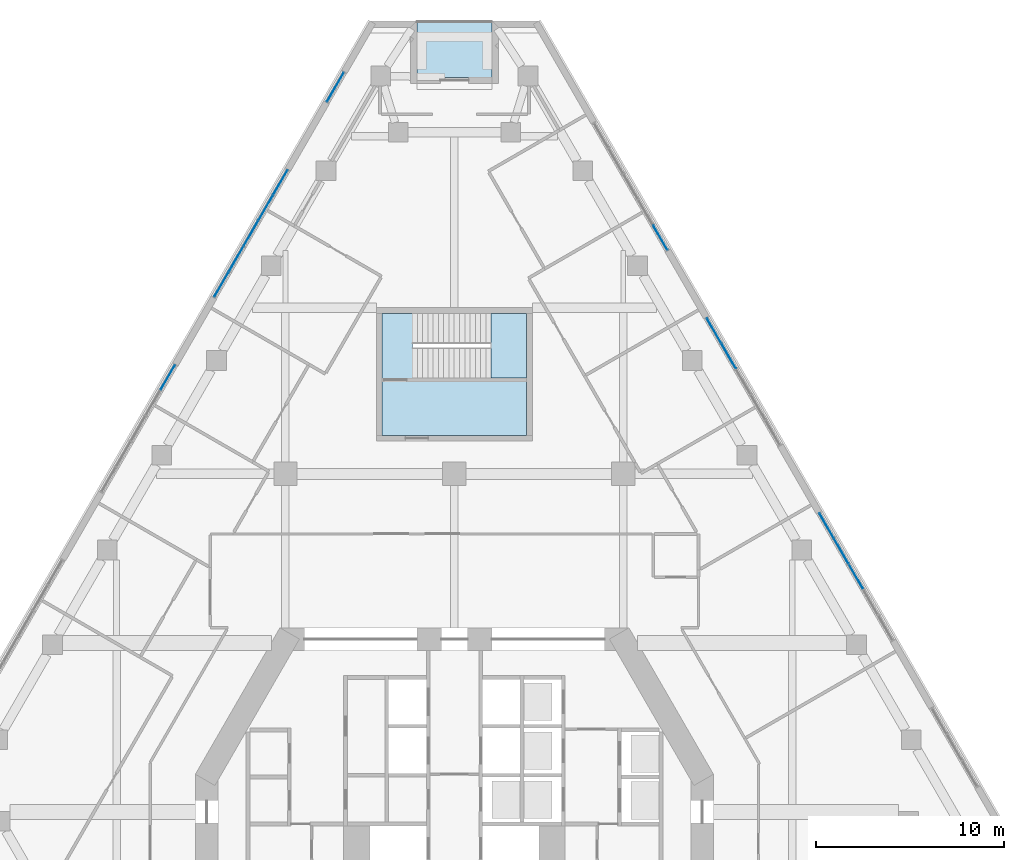
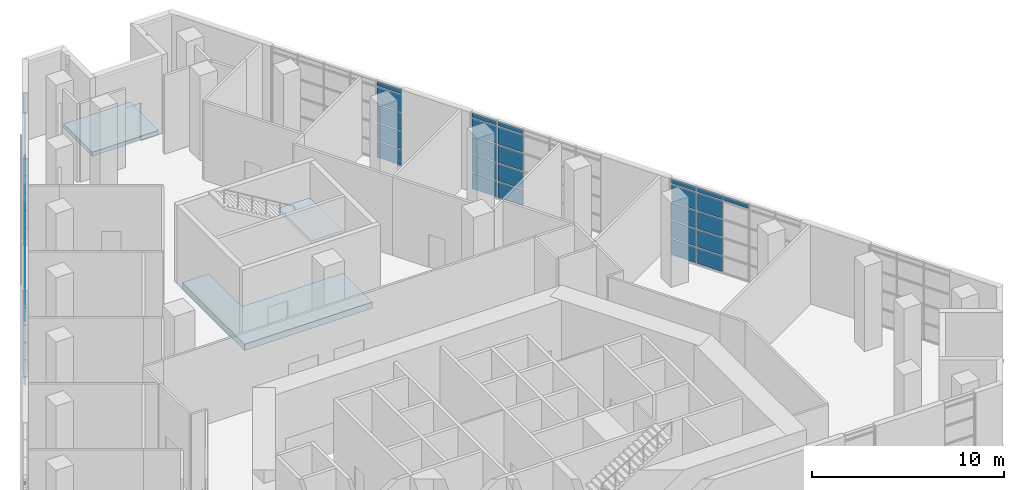
# One storey, part 10 of 18: 61 plates, 3 slabs, 7 elements without a shape of their own.
"""IFC4 building model written with IfcOpenShell, lengths in metres."""

from ifc_helpers import new_model, si_unit, direction, frame, origin, origin_2d, place, context, subcontext, project, spatial, polyline, rectangle, outline, extrude, material, layer, layer_set, type_object, element, aggregate, save


model = new_model("IFC4")

# Units and contexts
model_context = context("Model", 3, precision=1e-05, world=origin(), true_north=direction((0.0, 1.0)))
body_context = subcontext(model_context, "Body", "Model", "MODEL_VIEW")
ifc_project = project(units=[si_unit("LENGTHUNIT", "METRE"), si_unit("AREAUNIT", "SQUARE_METRE"), si_unit("VOLUMEUNIT", "CUBIC_METRE"), si_unit("PLANEANGLEUNIT", "RADIAN"), si_unit("MASSUNIT", "GRAM", prefix="KILO")], contexts=[model_context])

# Site, building, storey
site_placement = place(None, origin())
site = spatial("IfcSite", under=ifc_project, at=site_placement, CompositionType="ELEMENT")
building_placement = place(site_placement, origin())
building = spatial("IfcBuilding", under=site, at=building_placement, Name="Fogline Exchange Tower", CompositionType="ELEMENT")
storey_placement = place(building_placement, frame((0.0, 0.0, 137.5)))
storey = spatial("IfcBuildingStorey", under=building, at=storey_placement, Name="L30", CompositionType="ELEMENT", Elevation=137.5)

# Curtain wall, plates
ifc_material_1 = material(Name="Aluminium and glass", Category="aluminium")
curtain_wall_type = type_object("IfcCurtainWallType", Name="CW4", PredefinedType="NOTDEFINED", material=ifc_material_1)
curtain_wall_1_placement = place(storey_placement, origin())
curtain_wall_1 = element("IfcCurtainWall", 1, at=curtain_wall_1_placement, inside=storey, type_object=curtain_wall_type, Name="CW4 L30 E run 2", PredefinedType="NOTDEFINED")
ifc_material_2 = material(Name="Glass", Category="glass")
ifc_layer_1 = layer(ifc_material_2, 0.030029296875)
ifc_layer_set_1 = layer_set([ifc_layer_1], Name="CW4-P")
plate_type = type_object("IfcPlateType", Name="CW4-P", PredefinedType="CURTAIN_PANEL", material=ifc_layer_set_1)
plate_1_placement = place(storey_placement, frame((21.397216796875, 21.52490234375, 4.637451171875), z_axis=(0.0, 0.0, 1.0), x_axis=(-0.500000016959, 0.866025393993, 0.0)))
plate_1 = element("IfcPlate", 2, at=plate_1_placement, type_object=plate_type, Name="CW4-T09-05 panel 3.5", PredefinedType="CURTAIN_PANEL", context=body_context, shape_type="SweptSolid", body=[
    extrude(rectangle(XDim=1.51708984375, YDim=0.030029296875, at=origin_2d()), origin(), (0.0, 0.0, 1.0), 0.28759765625),
])
plate_2_placement = place(storey_placement, frame((20.608642578125, 22.890625, 0.0751953125), z_axis=(0.0, 0.0, 1.0), x_axis=(-0.500000016959, 0.866025393993, 0.0)))
plate_2 = element("IfcPlate", 3, at=plate_2_placement, type_object=plate_type, Name="CW4-T09-05 panel 4.1", PredefinedType="CURTAIN_PANEL", context=body_context, shape_type="SweptSolid", body=[
    extrude(rectangle(XDim=1.51708984375, YDim=0.030029296875, at=origin_2d()), origin(), (0.0, 0.0, 1.0), 0.987548828125),
])
plate_3_placement = place(storey_placement, frame((20.608642578125, 22.890625, 1.137451171875), z_axis=(0.0, 0.0, 1.0), x_axis=(-0.500000016959, 0.866025393993, 0.0)))
plate_3 = element("IfcPlate", 4, at=plate_3_placement, type_object=plate_type, Name="CW4-T09-05 panel 4.2", PredefinedType="CURTAIN_PANEL", context=body_context, shape_type="SweptSolid", body=[
    extrude(rectangle(XDim=1.51708984375, YDim=0.030029296875, at=origin_2d()), origin(), (0.0, 0.0, 1.0), 1.091796875),
])
plate_4_placement = place(storey_placement, frame((20.608642578125, 22.890625, 2.30419921875), z_axis=(0.0, 0.0, 1.0), x_axis=(-0.500000016959, 0.866025393993, 0.0)))
plate_4 = element("IfcPlate", 5, at=plate_4_placement, type_object=plate_type, Name="CW4-T09-05 panel 4.3", PredefinedType="CURTAIN_PANEL", context=body_context, shape_type="SweptSolid", body=[
    extrude(rectangle(XDim=1.51708984375, YDim=0.030029296875, at=origin_2d()), origin(), (0.0, 0.0, 1.0), 1.091552734375),
])
plate_5_placement = place(storey_placement, frame((20.608642578125, 22.890625, 3.470703125), z_axis=(0.0, 0.0, 1.0), x_axis=(-0.500000016959, 0.866025393993, 0.0)))
plate_5 = element("IfcPlate", 6, at=plate_5_placement, type_object=plate_type, Name="CW4-T09-05 panel 4.4", PredefinedType="CURTAIN_PANEL", context=body_context, shape_type="SweptSolid", body=[
    extrude(rectangle(XDim=1.51708984375, YDim=0.030029296875, at=origin_2d()), origin(), (0.0, 0.0, 1.0), 1.091796875),
])
plate_6_placement = place(storey_placement, frame((20.608642578125, 22.890625, 4.637451171875), z_axis=(0.0, 0.0, 1.0), x_axis=(-0.500000016959, 0.866025393993, 0.0)))
plate_6 = element("IfcPlate", 7, at=plate_6_placement, type_object=plate_type, Name="CW4-T09-05 panel 4.5", PredefinedType="CURTAIN_PANEL", context=body_context, shape_type="SweptSolid", body=[
    extrude(rectangle(XDim=1.51708984375, YDim=0.030029296875, at=origin_2d()), origin(), (0.0, 0.0, 1.0), 0.28759765625),
])
plate_7_placement = place(storey_placement, frame((19.82763671875, 24.243408203125, 0.0751953125), z_axis=(0.0, 0.0, 1.0), x_axis=(-0.500000016959, 0.866025393993, 0.0)))
plate_7 = element("IfcPlate", 8, at=plate_7_placement, type_object=plate_type, Name="CW4-T09-05 panel 5.1", PredefinedType="CURTAIN_PANEL", context=body_context, shape_type="SweptSolid", body=[
    extrude(rectangle(XDim=1.487060546875, YDim=0.030029296875, at=origin_2d()), origin(), (0.0, 0.0, 1.0), 0.987548828125),
])
plate_8_placement = place(storey_placement, frame((19.82763671875, 24.243408203125, 1.137451171875), z_axis=(0.0, 0.0, 1.0), x_axis=(-0.500000016959, 0.866025393993, 0.0)))
plate_8 = element("IfcPlate", 9, at=plate_8_placement, type_object=plate_type, Name="CW4-T09-05 panel 5.2", PredefinedType="CURTAIN_PANEL", context=body_context, shape_type="SweptSolid", body=[
    extrude(rectangle(XDim=1.487060546875, YDim=0.030029296875, at=origin_2d()), origin(), (0.0, 0.0, 1.0), 1.091796875),
])
plate_9_placement = place(storey_placement, frame((19.82763671875, 24.243408203125, 2.30419921875), z_axis=(0.0, 0.0, 1.0), x_axis=(-0.500000016959, 0.866025393993, 0.0)))
plate_9 = element("IfcPlate", 10, at=plate_9_placement, type_object=plate_type, Name="CW4-T09-05 panel 5.3", PredefinedType="CURTAIN_PANEL", context=body_context, shape_type="SweptSolid", body=[
    extrude(rectangle(XDim=1.487060546875, YDim=0.030029296875, at=origin_2d()), origin(), (0.0, 0.0, 1.0), 1.091552734375),
])
plate_10_placement = place(storey_placement, frame((19.82763671875, 24.243408203125, 3.470703125), z_axis=(0.0, 0.0, 1.0), x_axis=(-0.500000016959, 0.866025393993, 0.0)))
plate_10 = element("IfcPlate", 11, at=plate_10_placement, type_object=plate_type, Name="CW4-T09-05 panel 5.4", PredefinedType="CURTAIN_PANEL", context=body_context, shape_type="SweptSolid", body=[
    extrude(rectangle(XDim=1.487060546875, YDim=0.030029296875, at=origin_2d()), origin(), (0.0, 0.0, 1.0), 1.091796875),
])
plate_11_placement = place(storey_placement, frame((19.82763671875, 24.243408203125, 4.637451171875), z_axis=(0.0, 0.0, 1.0), x_axis=(-0.500000016959, 0.866025393993, 0.0)))
plate_11 = element("IfcPlate", 12, at=plate_11_placement, type_object=plate_type, Name="CW4-T09-05 panel 5.5", PredefinedType="CURTAIN_PANEL", context=body_context, shape_type="SweptSolid", body=[
    extrude(rectangle(XDim=1.487060546875, YDim=0.030029296875, at=origin_2d()), origin(), (0.0, 0.0, 1.0), 0.28759765625),
])
aggregate(curtain_wall_1, [plate_1, plate_2, plate_3, plate_4, plate_5, plate_6, plate_7, plate_8, plate_9, plate_10, plate_11])

curtain_wall_2_placement = place(storey_placement, origin())
curtain_wall_2 = element("IfcCurtainWall", 13, at=curtain_wall_2_placement, inside=storey, type_object=curtain_wall_type, Name="CW4 L30 E run 3", PredefinedType="NOTDEFINED")
plate_12_placement = place(storey_placement, frame((14.608642578125, 33.282958984375, 0.0751953125), z_axis=(0.0, 0.0, 1.0), x_axis=(-0.500000016959, 0.866025393993, 0.0)))
plate_12 = element("IfcPlate", 14, at=plate_12_placement, type_object=plate_type, Name="CW4-T09-06 panel 4.1", PredefinedType="CURTAIN_PANEL", context=body_context, shape_type="SweptSolid", body=[
    extrude(rectangle(XDim=1.51708984375, YDim=0.030029296875, at=origin_2d()), origin(), (0.0, 0.0, 1.0), 0.987548828125),
])
plate_13_placement = place(storey_placement, frame((14.608642578125, 33.282958984375, 1.137451171875), z_axis=(0.0, 0.0, 1.0), x_axis=(-0.500000016959, 0.866025393993, 0.0)))
plate_13 = element("IfcPlate", 15, at=plate_13_placement, type_object=plate_type, Name="CW4-T09-06 panel 4.2", PredefinedType="CURTAIN_PANEL", context=body_context, shape_type="SweptSolid", body=[
    extrude(rectangle(XDim=1.51708984375, YDim=0.030029296875, at=origin_2d()), origin(), (0.0, 0.0, 1.0), 1.091796875),
])
plate_14_placement = place(storey_placement, frame((14.608642578125, 33.282958984375, 2.30419921875), z_axis=(0.0, 0.0, 1.0), x_axis=(-0.500000016959, 0.866025393993, 0.0)))
plate_14 = element("IfcPlate", 16, at=plate_14_placement, type_object=plate_type, Name="CW4-T09-06 panel 4.3", PredefinedType="CURTAIN_PANEL", context=body_context, shape_type="SweptSolid", body=[
    extrude(rectangle(XDim=1.51708984375, YDim=0.030029296875, at=origin_2d()), origin(), (0.0, 0.0, 1.0), 1.091552734375),
])
plate_15_placement = place(storey_placement, frame((14.608642578125, 33.282958984375, 3.470703125), z_axis=(0.0, 0.0, 1.0), x_axis=(-0.500000016959, 0.866025393993, 0.0)))
plate_15 = element("IfcPlate", 17, at=plate_15_placement, type_object=plate_type, Name="CW4-T09-06 panel 4.4", PredefinedType="CURTAIN_PANEL", context=body_context, shape_type="SweptSolid", body=[
    extrude(rectangle(XDim=1.51708984375, YDim=0.030029296875, at=origin_2d()), origin(), (0.0, 0.0, 1.0), 1.091796875),
])
plate_16_placement = place(storey_placement, frame((14.608642578125, 33.282958984375, 4.637451171875), z_axis=(0.0, 0.0, 1.0), x_axis=(-0.500000016959, 0.866025393993, 0.0)))
plate_16 = element("IfcPlate", 18, at=plate_16_placement, type_object=plate_type, Name="CW4-T09-06 panel 4.5", PredefinedType="CURTAIN_PANEL", context=body_context, shape_type="SweptSolid", body=[
    extrude(rectangle(XDim=1.51708984375, YDim=0.030029296875, at=origin_2d()), origin(), (0.0, 0.0, 1.0), 0.28759765625),
])
plate_17_placement = place(storey_placement, frame((13.82763671875, 34.6357421875, 0.0751953125), z_axis=(0.0, 0.0, 1.0), x_axis=(-0.500000016959, 0.866025393993, 0.0)))
plate_17 = element("IfcPlate", 19, at=plate_17_placement, type_object=plate_type, Name="CW4-T09-06 panel 5.1", PredefinedType="CURTAIN_PANEL", context=body_context, shape_type="SweptSolid", body=[
    extrude(rectangle(XDim=1.487060546875, YDim=0.030029296875, at=origin_2d()), origin(), (0.0, 0.0, 1.0), 0.987548828125),
])
plate_18_placement = place(storey_placement, frame((13.82763671875, 34.6357421875, 1.137451171875), z_axis=(0.0, 0.0, 1.0), x_axis=(-0.500000016959, 0.866025393993, 0.0)))
plate_18 = element("IfcPlate", 20, at=plate_18_placement, type_object=plate_type, Name="CW4-T09-06 panel 5.2", PredefinedType="CURTAIN_PANEL", context=body_context, shape_type="SweptSolid", body=[
    extrude(rectangle(XDim=1.487060546875, YDim=0.030029296875, at=origin_2d()), origin(), (0.0, 0.0, 1.0), 1.091796875),
])
plate_19_placement = place(storey_placement, frame((13.82763671875, 34.6357421875, 2.30419921875), z_axis=(0.0, 0.0, 1.0), x_axis=(-0.500000016959, 0.866025393993, 0.0)))
plate_19 = element("IfcPlate", 21, at=plate_19_placement, type_object=plate_type, Name="CW4-T09-06 panel 5.3", PredefinedType="CURTAIN_PANEL", context=body_context, shape_type="SweptSolid", body=[
    extrude(rectangle(XDim=1.487060546875, YDim=0.030029296875, at=origin_2d()), origin(), (0.0, 0.0, 1.0), 1.091552734375),
])
plate_20_placement = place(storey_placement, frame((13.82763671875, 34.6357421875, 3.470703125), z_axis=(0.0, 0.0, 1.0), x_axis=(-0.500000016959, 0.866025393993, 0.0)))
plate_20 = element("IfcPlate", 22, at=plate_20_placement, type_object=plate_type, Name="CW4-T09-06 panel 5.4", PredefinedType="CURTAIN_PANEL", context=body_context, shape_type="SweptSolid", body=[
    extrude(rectangle(XDim=1.487060546875, YDim=0.030029296875, at=origin_2d()), origin(), (0.0, 0.0, 1.0), 1.091796875),
])
plate_21_placement = place(storey_placement, frame((13.82763671875, 34.6357421875, 4.637451171875), z_axis=(0.0, 0.0, 1.0), x_axis=(-0.500000016959, 0.866025393993, 0.0)))
plate_21 = element("IfcPlate", 23, at=plate_21_placement, type_object=plate_type, Name="CW4-T09-06 panel 5.5", PredefinedType="CURTAIN_PANEL", context=body_context, shape_type="SweptSolid", body=[
    extrude(rectangle(XDim=1.487060546875, YDim=0.030029296875, at=origin_2d()), origin(), (0.0, 0.0, 1.0), 0.28759765625),
])
aggregate(curtain_wall_2, [plate_12, plate_13, plate_14, plate_15, plate_16, plate_17, plate_18, plate_19, plate_20, plate_21])

curtain_wall_3_placement = place(storey_placement, origin())
curtain_wall_3 = element("IfcCurtainWall", 24, at=curtain_wall_3_placement, inside=storey, type_object=curtain_wall_type, Name="CW4 L30 E run 4", PredefinedType="NOTDEFINED")
plate_22_placement = place(storey_placement, frame((10.966796875, 39.591064453125, 0.0751953125), z_axis=(0.0, 0.0, 1.0), x_axis=(-0.500000016959, 0.866025393993, 0.0)))
plate_22 = element("IfcPlate", 25, at=plate_22_placement, type_object=plate_type, Name="CW4-T09-07 panel 1.1", PredefinedType="CURTAIN_PANEL", context=body_context, shape_type="SweptSolid", body=[
    extrude(rectangle(XDim=1.487060546875, YDim=0.030029296875, at=origin_2d()), origin(), (0.0, 0.0, 1.0), 0.987548828125),
])
plate_23_placement = place(storey_placement, frame((10.966796875, 39.591064453125, 1.137451171875), z_axis=(0.0, 0.0, 1.0), x_axis=(-0.500000016959, 0.866025393993, 0.0)))
plate_23 = element("IfcPlate", 26, at=plate_23_placement, type_object=plate_type, Name="CW4-T09-07 panel 1.2", PredefinedType="CURTAIN_PANEL", context=body_context, shape_type="SweptSolid", body=[
    extrude(rectangle(XDim=1.487060546875, YDim=0.030029296875, at=origin_2d()), origin(), (0.0, 0.0, 1.0), 1.091796875),
])
plate_24_placement = place(storey_placement, frame((10.966796875, 39.591064453125, 2.30419921875), z_axis=(0.0, 0.0, 1.0), x_axis=(-0.500000016959, 0.866025393993, 0.0)))
plate_24 = element("IfcPlate", 27, at=plate_24_placement, type_object=plate_type, Name="CW4-T09-07 panel 1.3", PredefinedType="CURTAIN_PANEL", context=body_context, shape_type="SweptSolid", body=[
    extrude(rectangle(XDim=1.487060546875, YDim=0.030029296875, at=origin_2d()), origin(), (0.0, 0.0, 1.0), 1.091552734375),
])
plate_25_placement = place(storey_placement, frame((10.966796875, 39.591064453125, 3.470703125), z_axis=(0.0, 0.0, 1.0), x_axis=(-0.500000016959, 0.866025393993, 0.0)))
plate_25 = element("IfcPlate", 28, at=plate_25_placement, type_object=plate_type, Name="CW4-T09-07 panel 1.4", PredefinedType="CURTAIN_PANEL", context=body_context, shape_type="SweptSolid", body=[
    extrude(rectangle(XDim=1.487060546875, YDim=0.030029296875, at=origin_2d()), origin(), (0.0, 0.0, 1.0), 1.091796875),
])
plate_26_placement = place(storey_placement, frame((10.966796875, 39.591064453125, 4.637451171875), z_axis=(0.0, 0.0, 1.0), x_axis=(-0.500000016959, 0.866025393993, 0.0)))
plate_26 = element("IfcPlate", 29, at=plate_26_placement, type_object=plate_type, Name="CW4-T09-07 panel 1.5", PredefinedType="CURTAIN_PANEL", context=body_context, shape_type="SweptSolid", body=[
    extrude(rectangle(XDim=1.487060546875, YDim=0.030029296875, at=origin_2d()), origin(), (0.0, 0.0, 1.0), 0.28759765625),
])
aggregate(curtain_wall_3, [plate_22, plate_23, plate_24, plate_25, plate_26])

curtain_wall_4_placement = place(storey_placement, origin())
curtain_wall_4 = element("IfcCurtainWall", 30, at=curtain_wall_4_placement, inside=storey, type_object=curtain_wall_type, Name="CW4 L30 W run 1", PredefinedType="NOTDEFINED")
plate_27_placement = place(storey_placement, frame((-6.339599609375, 47.605224609375, 0.0751953125), z_axis=(0.0, 0.0, 1.0), x_axis=(-0.499999514416, -0.866025684137, 0.0)))
plate_27 = element("IfcPlate", 31, at=plate_27_placement, type_object=plate_type, Name="CW4-T09-08 panel 1.1", PredefinedType="CURTAIN_PANEL", context=body_context, shape_type="SweptSolid", body=[
    extrude(rectangle(XDim=1.764892578125, YDim=0.030029296875, at=origin_2d()), origin(), (0.0, 0.0, 1.0), 0.987548828125),
])
plate_28_placement = place(storey_placement, frame((-6.339599609375, 47.605224609375, 1.137451171875), z_axis=(0.0, 0.0, 1.0), x_axis=(-0.499999514416, -0.866025684137, 0.0)))
plate_28 = element("IfcPlate", 32, at=plate_28_placement, type_object=plate_type, Name="CW4-T09-08 panel 1.2", PredefinedType="CURTAIN_PANEL", context=body_context, shape_type="SweptSolid", body=[
    extrude(rectangle(XDim=1.764892578125, YDim=0.030029296875, at=origin_2d()), origin(), (0.0, 0.0, 1.0), 1.091796875),
])
plate_29_placement = place(storey_placement, frame((-6.339599609375, 47.605224609375, 2.30419921875), z_axis=(0.0, 0.0, 1.0), x_axis=(-0.499999514416, -0.866025684137, 0.0)))
plate_29 = element("IfcPlate", 33, at=plate_29_placement, type_object=plate_type, Name="CW4-T09-08 panel 1.3", PredefinedType="CURTAIN_PANEL", context=body_context, shape_type="SweptSolid", body=[
    extrude(rectangle(XDim=1.764892578125, YDim=0.030029296875, at=origin_2d()), origin(), (0.0, 0.0, 1.0), 1.091552734375),
])
plate_30_placement = place(storey_placement, frame((-6.339599609375, 47.605224609375, 3.470703125), z_axis=(0.0, 0.0, 1.0), x_axis=(-0.499999514416, -0.866025684137, 0.0)))
plate_30 = element("IfcPlate", 34, at=plate_30_placement, type_object=plate_type, Name="CW4-T09-08 panel 1.4", PredefinedType="CURTAIN_PANEL", context=body_context, shape_type="SweptSolid", body=[
    extrude(rectangle(XDim=1.764892578125, YDim=0.030029296875, at=origin_2d()), origin(), (0.0, 0.0, 1.0), 1.091796875),
])
plate_31_placement = place(storey_placement, frame((-6.339599609375, 47.605224609375, 4.637451171875), z_axis=(0.0, 0.0, 1.0), x_axis=(-0.499999514416, -0.866025684137, 0.0)))
plate_31 = element("IfcPlate", 35, at=plate_31_placement, type_object=plate_type, Name="CW4-T09-08 panel 1.5", PredefinedType="CURTAIN_PANEL", context=body_context, shape_type="SweptSolid", body=[
    extrude(rectangle(XDim=1.764892578125, YDim=0.030029296875, at=origin_2d()), origin(), (0.0, 0.0, 1.0), 0.28759765625),
])
aggregate(curtain_wall_4, [plate_27, plate_28, plate_29, plate_30, plate_31])

curtain_wall_5_placement = place(storey_placement, origin())
curtain_wall_5 = element("IfcCurtainWall", 36, at=curtain_wall_5_placement, inside=storey, type_object=curtain_wall_type, Name="CW4 L30 W run 2", PredefinedType="NOTDEFINED")
plate_32_placement = place(storey_placement, frame((-9.270263671875, 42.529541015625, 0.0751953125), z_axis=(0.0, 0.0, 1.0), x_axis=(-0.500000016959, -0.866025393993, 0.0)))
plate_32 = element("IfcPlate", 37, at=plate_32_placement, type_object=plate_type, Name="CW4-T09-09 panel 1.1", PredefinedType="CURTAIN_PANEL", context=body_context, shape_type="SweptSolid", body=[
    extrude(rectangle(XDim=1.487060546875, YDim=0.030029296875, at=origin_2d()), origin(), (0.0, 0.0, 1.0), 0.987548828125),
])
plate_33_placement = place(storey_placement, frame((-9.270263671875, 42.529541015625, 1.137451171875), z_axis=(0.0, 0.0, 1.0), x_axis=(-0.500000016959, -0.866025393993, 0.0)))
plate_33 = element("IfcPlate", 38, at=plate_33_placement, type_object=plate_type, Name="CW4-T09-09 panel 1.2", PredefinedType="CURTAIN_PANEL", context=body_context, shape_type="SweptSolid", body=[
    extrude(rectangle(XDim=1.487060546875, YDim=0.030029296875, at=origin_2d()), origin(), (0.0, 0.0, 1.0), 1.091796875),
])
plate_34_placement = place(storey_placement, frame((-9.270263671875, 42.529541015625, 2.30419921875), z_axis=(0.0, 0.0, 1.0), x_axis=(-0.500000016959, -0.866025393993, 0.0)))
plate_34 = element("IfcPlate", 39, at=plate_34_placement, type_object=plate_type, Name="CW4-T09-09 panel 1.3", PredefinedType="CURTAIN_PANEL", context=body_context, shape_type="SweptSolid", body=[
    extrude(rectangle(XDim=1.487060546875, YDim=0.030029296875, at=origin_2d()), origin(), (0.0, 0.0, 1.0), 1.091552734375),
])
plate_35_placement = place(storey_placement, frame((-9.270263671875, 42.529541015625, 3.470703125), z_axis=(0.0, 0.0, 1.0), x_axis=(-0.500000016959, -0.866025393993, 0.0)))
plate_35 = element("IfcPlate", 40, at=plate_35_placement, type_object=plate_type, Name="CW4-T09-09 panel 1.4", PredefinedType="CURTAIN_PANEL", context=body_context, shape_type="SweptSolid", body=[
    extrude(rectangle(XDim=1.487060546875, YDim=0.030029296875, at=origin_2d()), origin(), (0.0, 0.0, 1.0), 1.091796875),
])
plate_36_placement = place(storey_placement, frame((-9.270263671875, 42.529541015625, 4.637451171875), z_axis=(0.0, 0.0, 1.0), x_axis=(-0.500000016959, -0.866025393993, 0.0)))
plate_36 = element("IfcPlate", 41, at=plate_36_placement, type_object=plate_type, Name="CW4-T09-09 panel 1.5", PredefinedType="CURTAIN_PANEL", context=body_context, shape_type="SweptSolid", body=[
    extrude(rectangle(XDim=1.487060546875, YDim=0.030029296875, at=origin_2d()), origin(), (0.0, 0.0, 1.0), 0.28759765625),
])
plate_37_placement = place(storey_placement, frame((-10.05126953125, 41.1767578125, 0.0751953125), z_axis=(0.0, 0.0, 1.0), x_axis=(-0.500000016959, -0.866025393993, 0.0)))
plate_37 = element("IfcPlate", 42, at=plate_37_placement, type_object=plate_type, Name="CW4-T09-09 panel 2.1", PredefinedType="CURTAIN_PANEL", context=body_context, shape_type="SweptSolid", body=[
    extrude(rectangle(XDim=1.51708984375, YDim=0.030029296875, at=origin_2d()), origin(), (0.0, 0.0, 1.0), 0.987548828125),
])
plate_38_placement = place(storey_placement, frame((-10.05126953125, 41.1767578125, 1.137451171875), z_axis=(0.0, 0.0, 1.0), x_axis=(-0.500000016959, -0.866025393993, 0.0)))
plate_38 = element("IfcPlate", 43, at=plate_38_placement, type_object=plate_type, Name="CW4-T09-09 panel 2.2", PredefinedType="CURTAIN_PANEL", context=body_context, shape_type="SweptSolid", body=[
    extrude(rectangle(XDim=1.51708984375, YDim=0.030029296875, at=origin_2d()), origin(), (0.0, 0.0, 1.0), 1.091796875),
])
plate_39_placement = place(storey_placement, frame((-10.05126953125, 41.1767578125, 2.30419921875), z_axis=(0.0, 0.0, 1.0), x_axis=(-0.500000016959, -0.866025393993, 0.0)))
plate_39 = element("IfcPlate", 44, at=plate_39_placement, type_object=plate_type, Name="CW4-T09-09 panel 2.3", PredefinedType="CURTAIN_PANEL", context=body_context, shape_type="SweptSolid", body=[
    extrude(rectangle(XDim=1.51708984375, YDim=0.030029296875, at=origin_2d()), origin(), (0.0, 0.0, 1.0), 1.091552734375),
])
plate_40_placement = place(storey_placement, frame((-10.05126953125, 41.1767578125, 3.470703125), z_axis=(0.0, 0.0, 1.0), x_axis=(-0.500000016959, -0.866025393993, 0.0)))
plate_40 = element("IfcPlate", 45, at=plate_40_placement, type_object=plate_type, Name="CW4-T09-09 panel 2.4", PredefinedType="CURTAIN_PANEL", context=body_context, shape_type="SweptSolid", body=[
    extrude(rectangle(XDim=1.51708984375, YDim=0.030029296875, at=origin_2d()), origin(), (0.0, 0.0, 1.0), 1.091796875),
])
plate_41_placement = place(storey_placement, frame((-10.05126953125, 41.1767578125, 4.637451171875), z_axis=(0.0, 0.0, 1.0), x_axis=(-0.500000016959, -0.866025393993, 0.0)))
plate_41 = element("IfcPlate", 46, at=plate_41_placement, type_object=plate_type, Name="CW4-T09-09 panel 2.5", PredefinedType="CURTAIN_PANEL", context=body_context, shape_type="SweptSolid", body=[
    extrude(rectangle(XDim=1.51708984375, YDim=0.030029296875, at=origin_2d()), origin(), (0.0, 0.0, 1.0), 0.28759765625),
])
plate_42_placement = place(storey_placement, frame((-10.839599609375, 39.81103515625, 0.0751953125), z_axis=(0.0, 0.0, 1.0), x_axis=(-0.500000016959, -0.866025393993, 0.0)))
plate_42 = element("IfcPlate", 47, at=plate_42_placement, type_object=plate_type, Name="CW4-T09-09 panel 3.1", PredefinedType="CURTAIN_PANEL", context=body_context, shape_type="SweptSolid", body=[
    extrude(rectangle(XDim=1.51708984375, YDim=0.030029296875, at=origin_2d()), origin(), (0.0, 0.0, 1.0), 0.987548828125),
])
plate_43_placement = place(storey_placement, frame((-10.839599609375, 39.81103515625, 1.137451171875), z_axis=(0.0, 0.0, 1.0), x_axis=(-0.500000016959, -0.866025393993, 0.0)))
plate_43 = element("IfcPlate", 48, at=plate_43_placement, type_object=plate_type, Name="CW4-T09-09 panel 3.2", PredefinedType="CURTAIN_PANEL", context=body_context, shape_type="SweptSolid", body=[
    extrude(rectangle(XDim=1.51708984375, YDim=0.030029296875, at=origin_2d()), origin(), (0.0, 0.0, 1.0), 1.091796875),
])
plate_44_placement = place(storey_placement, frame((-10.839599609375, 39.81103515625, 2.30419921875), z_axis=(0.0, 0.0, 1.0), x_axis=(-0.500000016959, -0.866025393993, 0.0)))
plate_44 = element("IfcPlate", 49, at=plate_44_placement, type_object=plate_type, Name="CW4-T09-09 panel 3.3", PredefinedType="CURTAIN_PANEL", context=body_context, shape_type="SweptSolid", body=[
    extrude(rectangle(XDim=1.51708984375, YDim=0.030029296875, at=origin_2d()), origin(), (0.0, 0.0, 1.0), 1.091552734375),
])
plate_45_placement = place(storey_placement, frame((-10.839599609375, 39.81103515625, 3.470703125), z_axis=(0.0, 0.0, 1.0), x_axis=(-0.500000016959, -0.866025393993, 0.0)))
plate_45 = element("IfcPlate", 50, at=plate_45_placement, type_object=plate_type, Name="CW4-T09-09 panel 3.4", PredefinedType="CURTAIN_PANEL", context=body_context, shape_type="SweptSolid", body=[
    extrude(rectangle(XDim=1.51708984375, YDim=0.030029296875, at=origin_2d()), origin(), (0.0, 0.0, 1.0), 1.091796875),
])
plate_46_placement = place(storey_placement, frame((-10.839599609375, 39.81103515625, 4.637451171875), z_axis=(0.0, 0.0, 1.0), x_axis=(-0.500000016959, -0.866025393993, 0.0)))
plate_46 = element("IfcPlate", 51, at=plate_46_placement, type_object=plate_type, Name="CW4-T09-09 panel 3.5", PredefinedType="CURTAIN_PANEL", context=body_context, shape_type="SweptSolid", body=[
    extrude(rectangle(XDim=1.51708984375, YDim=0.030029296875, at=origin_2d()), origin(), (0.0, 0.0, 1.0), 0.28759765625),
])
plate_47_placement = place(storey_placement, frame((-11.628173828125, 38.4453125, 0.0751953125), z_axis=(0.0, 0.0, 1.0), x_axis=(-0.500000016959, -0.866025393993, 0.0)))
plate_47 = element("IfcPlate", 52, at=plate_47_placement, type_object=plate_type, Name="CW4-T09-09 panel 4.1", PredefinedType="CURTAIN_PANEL", context=body_context, shape_type="SweptSolid", body=[
    extrude(rectangle(XDim=1.51708984375, YDim=0.030029296875, at=origin_2d()), origin(), (0.0, 0.0, 1.0), 0.987548828125),
])
plate_48_placement = place(storey_placement, frame((-11.628173828125, 38.4453125, 1.137451171875), z_axis=(0.0, 0.0, 1.0), x_axis=(-0.500000016959, -0.866025393993, 0.0)))
plate_48 = element("IfcPlate", 53, at=plate_48_placement, type_object=plate_type, Name="CW4-T09-09 panel 4.2", PredefinedType="CURTAIN_PANEL", context=body_context, shape_type="SweptSolid", body=[
    extrude(rectangle(XDim=1.51708984375, YDim=0.030029296875, at=origin_2d()), origin(), (0.0, 0.0, 1.0), 1.091796875),
])
plate_49_placement = place(storey_placement, frame((-11.628173828125, 38.4453125, 2.30419921875), z_axis=(0.0, 0.0, 1.0), x_axis=(-0.500000016959, -0.866025393993, 0.0)))
plate_49 = element("IfcPlate", 54, at=plate_49_placement, type_object=plate_type, Name="CW4-T09-09 panel 4.3", PredefinedType="CURTAIN_PANEL", context=body_context, shape_type="SweptSolid", body=[
    extrude(rectangle(XDim=1.51708984375, YDim=0.030029296875, at=origin_2d()), origin(), (0.0, 0.0, 1.0), 1.091552734375),
])
plate_50_placement = place(storey_placement, frame((-11.628173828125, 38.4453125, 3.470703125), z_axis=(0.0, 0.0, 1.0), x_axis=(-0.500000016959, -0.866025393993, 0.0)))
plate_50 = element("IfcPlate", 55, at=plate_50_placement, type_object=plate_type, Name="CW4-T09-09 panel 4.4", PredefinedType="CURTAIN_PANEL", context=body_context, shape_type="SweptSolid", body=[
    extrude(rectangle(XDim=1.51708984375, YDim=0.030029296875, at=origin_2d()), origin(), (0.0, 0.0, 1.0), 1.091796875),
])
plate_51_placement = place(storey_placement, frame((-11.628173828125, 38.4453125, 4.637451171875), z_axis=(0.0, 0.0, 1.0), x_axis=(-0.500000016959, -0.866025393993, 0.0)))
plate_51 = element("IfcPlate", 56, at=plate_51_placement, type_object=plate_type, Name="CW4-T09-09 panel 4.5", PredefinedType="CURTAIN_PANEL", context=body_context, shape_type="SweptSolid", body=[
    extrude(rectangle(XDim=1.51708984375, YDim=0.030029296875, at=origin_2d()), origin(), (0.0, 0.0, 1.0), 0.28759765625),
])
plate_52_placement = place(storey_placement, frame((-12.4091796875, 37.092529296875, 0.0751953125), z_axis=(0.0, 0.0, 1.0), x_axis=(-0.500000016959, -0.866025393993, 0.0)))
plate_52 = element("IfcPlate", 57, at=plate_52_placement, type_object=plate_type, Name="CW4-T09-09 panel 5.1", PredefinedType="CURTAIN_PANEL", context=body_context, shape_type="SweptSolid", body=[
    extrude(rectangle(XDim=1.487060546875, YDim=0.030029296875, at=origin_2d()), origin(), (0.0, 0.0, 1.0), 0.987548828125),
])
plate_53_placement = place(storey_placement, frame((-12.4091796875, 37.092529296875, 1.137451171875), z_axis=(0.0, 0.0, 1.0), x_axis=(-0.500000016959, -0.866025393993, 0.0)))
plate_53 = element("IfcPlate", 58, at=plate_53_placement, type_object=plate_type, Name="CW4-T09-09 panel 5.2", PredefinedType="CURTAIN_PANEL", context=body_context, shape_type="SweptSolid", body=[
    extrude(rectangle(XDim=1.487060546875, YDim=0.030029296875, at=origin_2d()), origin(), (0.0, 0.0, 1.0), 1.091796875),
])
plate_54_placement = place(storey_placement, frame((-12.4091796875, 37.092529296875, 2.30419921875), z_axis=(0.0, 0.0, 1.0), x_axis=(-0.500000016959, -0.866025393993, 0.0)))
plate_54 = element("IfcPlate", 59, at=plate_54_placement, type_object=plate_type, Name="CW4-T09-09 panel 5.3", PredefinedType="CURTAIN_PANEL", context=body_context, shape_type="SweptSolid", body=[
    extrude(rectangle(XDim=1.487060546875, YDim=0.030029296875, at=origin_2d()), origin(), (0.0, 0.0, 1.0), 1.091552734375),
])
plate_55_placement = place(storey_placement, frame((-12.4091796875, 37.092529296875, 3.470703125), z_axis=(0.0, 0.0, 1.0), x_axis=(-0.500000016959, -0.866025393993, 0.0)))
plate_55 = element("IfcPlate", 60, at=plate_55_placement, type_object=plate_type, Name="CW4-T09-09 panel 5.4", PredefinedType="CURTAIN_PANEL", context=body_context, shape_type="SweptSolid", body=[
    extrude(rectangle(XDim=1.487060546875, YDim=0.030029296875, at=origin_2d()), origin(), (0.0, 0.0, 1.0), 1.091796875),
])
plate_56_placement = place(storey_placement, frame((-12.4091796875, 37.092529296875, 4.637451171875), z_axis=(0.0, 0.0, 1.0), x_axis=(-0.500000016959, -0.866025393993, 0.0)))
plate_56 = element("IfcPlate", 61, at=plate_56_placement, type_object=plate_type, Name="CW4-T09-09 panel 5.5", PredefinedType="CURTAIN_PANEL", context=body_context, shape_type="SweptSolid", body=[
    extrude(rectangle(XDim=1.487060546875, YDim=0.030029296875, at=origin_2d()), origin(), (0.0, 0.0, 1.0), 0.28759765625),
])
aggregate(curtain_wall_5, [plate_32, plate_33, plate_34, plate_35, plate_36, plate_37, plate_38, plate_39, plate_40, plate_41, plate_42, plate_43, plate_44, plate_45, plate_46, plate_47, plate_48, plate_49, plate_50, plate_51, plate_52, plate_53, plate_54, plate_55, plate_56])

curtain_wall_6_placement = place(storey_placement, origin())
curtain_wall_6 = element("IfcCurtainWall", 62, at=curtain_wall_6_placement, inside=storey, type_object=curtain_wall_type, Name="CW4 L30 W run 3", PredefinedType="NOTDEFINED")
plate_57_placement = place(storey_placement, frame((-15.270263671875, 32.13720703125, 0.0751953125), z_axis=(0.0, 0.0, 1.0), x_axis=(-0.500000016959, -0.866025393993, 0.0)))
plate_57 = element("IfcPlate", 63, at=plate_57_placement, type_object=plate_type, Name="CW4-T09-10 panel 1.1", PredefinedType="CURTAIN_PANEL", context=body_context, shape_type="SweptSolid", body=[
    extrude(rectangle(XDim=1.487060546875, YDim=0.030029296875, at=origin_2d()), origin(), (0.0, 0.0, 1.0), 0.987548828125),
])
plate_58_placement = place(storey_placement, frame((-15.270263671875, 32.13720703125, 1.137451171875), z_axis=(0.0, 0.0, 1.0), x_axis=(-0.500000016959, -0.866025393993, 0.0)))
plate_58 = element("IfcPlate", 64, at=plate_58_placement, type_object=plate_type, Name="CW4-T09-10 panel 1.2", PredefinedType="CURTAIN_PANEL", context=body_context, shape_type="SweptSolid", body=[
    extrude(rectangle(XDim=1.487060546875, YDim=0.030029296875, at=origin_2d()), origin(), (0.0, 0.0, 1.0), 1.091796875),
])
plate_59_placement = place(storey_placement, frame((-15.270263671875, 32.13720703125, 2.30419921875), z_axis=(0.0, 0.0, 1.0), x_axis=(-0.500000016959, -0.866025393993, 0.0)))
plate_59 = element("IfcPlate", 65, at=plate_59_placement, type_object=plate_type, Name="CW4-T09-10 panel 1.3", PredefinedType="CURTAIN_PANEL", context=body_context, shape_type="SweptSolid", body=[
    extrude(rectangle(XDim=1.487060546875, YDim=0.030029296875, at=origin_2d()), origin(), (0.0, 0.0, 1.0), 1.091552734375),
])
plate_60_placement = place(storey_placement, frame((-15.270263671875, 32.13720703125, 3.470703125), z_axis=(0.0, 0.0, 1.0), x_axis=(-0.500000016959, -0.866025393993, 0.0)))
plate_60 = element("IfcPlate", 66, at=plate_60_placement, type_object=plate_type, Name="CW4-T09-10 panel 1.4", PredefinedType="CURTAIN_PANEL", context=body_context, shape_type="SweptSolid", body=[
    extrude(rectangle(XDim=1.487060546875, YDim=0.030029296875, at=origin_2d()), origin(), (0.0, 0.0, 1.0), 1.091796875),
])
plate_61_placement = place(storey_placement, frame((-15.270263671875, 32.13720703125, 4.637451171875), z_axis=(0.0, 0.0, 1.0), x_axis=(-0.500000016959, -0.866025393993, 0.0)))
plate_61 = element("IfcPlate", 67, at=plate_61_placement, type_object=plate_type, Name="CW4-T09-10 panel 1.5", PredefinedType="CURTAIN_PANEL", context=body_context, shape_type="SweptSolid", body=[
    extrude(rectangle(XDim=1.487060546875, YDim=0.030029296875, at=origin_2d()), origin(), (0.0, 0.0, 1.0), 0.28759765625),
])
aggregate(curtain_wall_6, [plate_57, plate_58, plate_59, plate_60, plate_61])

# Slabs
ifc_material_3 = material(Name="Concrete C40", Category="concrete")
ifc_layer_2 = layer(ifc_material_3, 0.25)
ifc_layer_set_2 = layer_set([ifc_layer_2], Name="DK1")
slab_type_1 = type_object("IfcSlabType", Name="DK1", PredefinedType="FLOOR", material=ifc_layer_set_2)
slab_1_placement = place(storey_placement, frame((0.0, 0.0, -0.25)))
element("IfcSlab", 68, at=slab_1_placement, inside=storey, type_object=slab_type_1, Name="Balcony L30 N", PredefinedType="FLOOR", context=body_context, shape_type="SweptSolid", body=[
    extrude(outline(polyline([(2.0, 51.131591796875), (-2.0, 51.131591796875), (-2.0, 48.131591796875), (2.0, 48.131591796875), (2.0, 51.131591796875)])), origin(), (0.0, 0.0, 1.0), 0.25),
])
ifc_layer_3 = layer(ifc_material_3, 0.39990234375)
ifc_layer_set_3 = layer_set([ifc_layer_3], Name="S03")
slab_type_2 = type_object("IfcSlabType", Name="S03", PredefinedType="FLOOR", material=ifc_layer_set_3)
slab_2_placement = place(storey_placement, frame((0.0, 0.0, -0.39990234375)))
element("IfcSlab", 69, at=slab_2_placement, inside=storey, type_object=slab_type_2, Name="Stair enclosure floor slab", PredefinedType="FLOOR", context=body_context, shape_type="SweptSolid", body=[
    extrude(outline(polyline([(3.85009765625, 29.056884765625), (-3.85009765625, 29.056884765625), (-3.85009765625, 35.556884765625), (-2.239990234375, 35.556884765625), (-2.239990234375, 32.10693359375), (3.85009765625, 32.10693359375), (3.85009765625, 29.056884765625)])), origin(), (0.0, 0.0, 1.0), 0.39990234375),
])

# Stair, slab
stair_type = type_object("IfcStairType", Name="STR32-1688", PredefinedType="HALF_TURN_STAIR", material=ifc_material_3)
stair_placement = place(storey_placement, origin())
stair = element("IfcStair", 70, at=stair_placement, inside=storey, type_object=stair_type, Name="Stair ST3", PredefinedType="HALF_TURN_STAIR")
ifc_layer_4 = layer(ifc_material_3, 0.199951171875)
ifc_layer_set_4 = layer_set([ifc_layer_4], Name="SL200")
slab_type_3 = type_object("IfcSlabType", Name="SL200", PredefinedType="LANDING", material=ifc_layer_set_4)
slab_3_placement = place(storey_placement, frame((0.0, 0.0, 2.5)))
slab_3 = element("IfcSlab", 71, at=slab_3_placement, type_object=slab_type_3, Name="ST3 landing 1", PredefinedType="LANDING", context=body_context, shape_type="SweptSolid", body=[
    extrude(outline(polyline([(1.949951171875, 32.10693359375), (3.85009765625, 32.10693359375), (3.85009765625, 35.556884765625), (1.949951171875, 35.556884765625), (1.949951171875, 32.10693359375)])), origin(), (0.0, 0.0, 1.0), 0.199951171875),
])
aggregate(stair, [slab_3])

save(model, "model.ifc")
